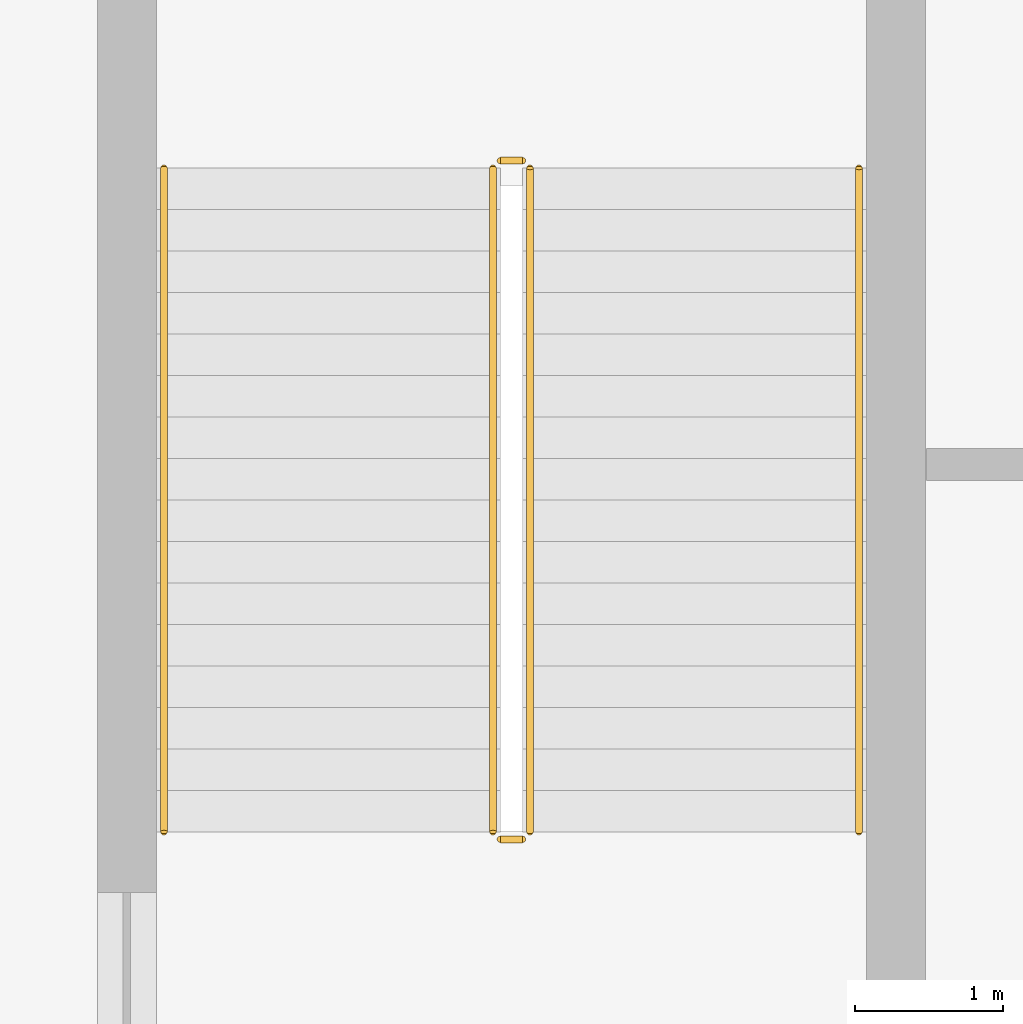
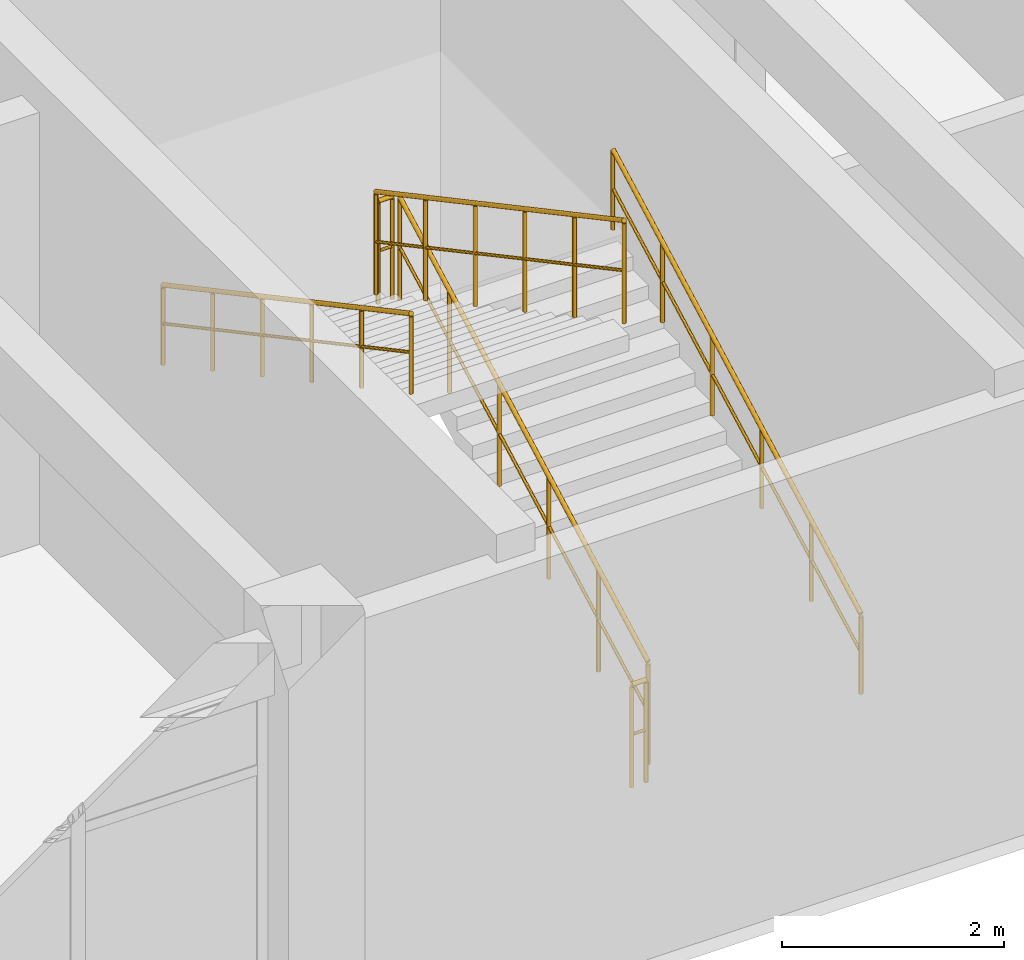
# One storey, part 91 of 96: 6 railings.
"""IFC4 building model written with IfcOpenShell, lengths in metres."""

from ifc_helpers import new_model, si_unit, derived_unit, direction, frame, origin, origin_2d, place, context, subcontext, project, spatial, circle, extrude, material, type_object, element, save


model = new_model("IFC4")

# Units and contexts
model_context = context("Model", 3, precision=1e-05, world=origin(), true_north=direction((0.0, 1.0)))
body_context = subcontext(model_context, "Body", "Model", "MODEL_VIEW")
ifc_project = project(units=[si_unit("LENGTHUNIT", "METRE"), si_unit("AREAUNIT", "SQUARE_METRE"), si_unit("VOLUMEUNIT", "CUBIC_METRE"), si_unit("PLANEANGLEUNIT", "RADIAN"), si_unit("MASSUNIT", "GRAM", prefix="KILO"), derived_unit("THERMALTRANSMITTANCEUNIT", [(si_unit("MASSUNIT", "GRAM", prefix="KILO"), 1), (si_unit("TIMEUNIT", "SECOND"), -3), (si_unit("THERMODYNAMICTEMPERATUREUNIT", "KELVIN"), -1)])], contexts=[model_context])

# Site, building, storey
site_placement = place(None, origin())
site = spatial("IfcSite", under=ifc_project, at=site_placement, CompositionType="ELEMENT")
building_placement = place(site_placement, origin())
building = spatial("IfcBuilding", under=site, at=building_placement, Name="Qinzheling Arcade Emporium", CompositionType="ELEMENT")
storey_placement = place(building_placement, frame((0.0, 0.0, 21.60009765625)))
storey = spatial("IfcBuildingStorey", under=building, at=storey_placement, Name="L05", CompositionType="ELEMENT", Elevation=21.60009765625)

# Railings
ifc_material_1 = material(Name="Galvanised powder-coated tubular steel", Category="steel")
railing_type_1 = type_object("IfcRailingType", Name="Painted Steel Stairwell Guard Railing 1150", PredefinedType="GUARDRAIL", material=ifc_material_1)
railing_1_placement = place(storey_placement, frame((91.919921875, 44.320068359375, 0.14990234375)))
element("IfcRailing", 1, at=railing_1_placement, inside=storey, type_object=railing_type_1, Name="L05 ST04 stair guard 1", PredefinedType="GUARDRAIL", context=body_context, shape_type="SweptSolid", body=[
    extrude(circle(Radius=0.02392578125, at=origin_2d()), frame((0.0, 0.0, 1.1259765625), z_axis=(0.0, 0.881487111273, 0.472208081951), x_axis=(-1.0, 0.0, 0.0)), (0.0, 0.0, 1.0), 5.082275390625),
    extrude(circle(Radius=0.01611328125, at=origin_2d()), frame((0.0, 0.0, 0.574951171875), z_axis=(0.0, 0.881487111273, 0.472208081951), x_axis=(-1.0, 0.0, 0.0)), (0.0, 0.0, 1.0), 5.082275390625),
    extrude(circle(Radius=0.02099609375, at=origin_2d()), origin(), (0.0, 0.0, 1.0), 1.101806640625),
    extrude(circle(Radius=0.02099609375, at=origin_2d()), frame((0.0, 0.89599609375, 0.47998046875)), (0.0, 0.0, 1.0), 1.101806640625),
    extrude(circle(Radius=0.02099609375, at=origin_2d()), frame((0.0, 1.7919921875, 0.9599609375)), (0.0, 0.0, 1.0), 1.101806640625),
    extrude(circle(Radius=0.02099609375, at=origin_2d()), frame((0.0, 2.68798828125, 1.43994140625)), (0.0, 0.0, 1.0), 1.101806640625),
    extrude(circle(Radius=0.02099609375, at=origin_2d()), frame((0.0, 3.583984375, 1.919921875)), (0.0, 0.0, 1.0), 1.101806640625),
    extrude(circle(Radius=0.02099609375, at=origin_2d()), frame((0.0, 4.47998046875, 2.39990234375)), (0.0, 0.0, 1.0), 1.101806640625),
])
railing_2_placement = place(storey_placement, frame((91.8701171875, 48.85009765625, 2.5498046875)))
element("IfcRailing", 2, at=railing_2_placement, inside=storey, type_object=railing_type_1, Name="L05 ST04 stair guard 2", PredefinedType="GUARDRAIL", context=body_context, shape_type="SweptSolid", body=[
    extrude(circle(Radius=0.02392578125, at=origin_2d()), frame((0.0, 0.0, 1.1259765625), z_axis=(-1.0, 0.0, 0.0), x_axis=(0.0, -1.0, 0.0)), (0.0, 0.0, 1.0), 0.150146484375),
    extrude(circle(Radius=0.01611328125, at=origin_2d()), frame((0.0, 0.0, 0.574951171875), z_axis=(-1.0, 0.0, 0.0), x_axis=(0.0, -1.0, 0.0)), (0.0, 0.0, 1.0), 0.150146484375),
    extrude(circle(Radius=0.02099609375, at=origin_2d()), origin(), (0.0, 0.0, 1.0), 1.101806640625),
    extrude(circle(Radius=0.02099609375, at=origin_2d()), frame((-0.150146484375, 0.0, 0.0)), (0.0, 0.0, 1.0), 1.101806640625),
])
railing_3_placement = place(storey_placement, frame((91.669921875, 48.800048828125, 2.699951171875)))
element("IfcRailing", 3, at=railing_3_placement, inside=storey, type_object=railing_type_1, Name="L05 ST04 stair guard 3", PredefinedType="GUARDRAIL", context=body_context, shape_type="SweptSolid", body=[
    extrude(circle(Radius=0.02392578125, at=origin_2d()), frame((0.0, 0.0, 1.1259765625), z_axis=(0.0, -0.881487111273, 0.472208081951), x_axis=(1.0, 0.0, 0.0)), (0.0, 0.0, 1.0), 5.082275390625),
    extrude(circle(Radius=0.01611328125, at=origin_2d()), frame((0.0, 0.0, 0.574951171875), z_axis=(0.0, -0.881487111273, 0.472208081951), x_axis=(1.0, 0.0, 0.0)), (0.0, 0.0, 1.0), 5.082275390625),
    extrude(circle(Radius=0.02099609375, at=origin_2d()), origin(), (0.0, 0.0, 1.0), 1.101806640625),
    extrude(circle(Radius=0.02099609375, at=origin_2d()), frame((0.0, -0.89599609375, 0.47998046875)), (0.0, 0.0, 1.0), 1.101806640625),
    extrude(circle(Radius=0.02099609375, at=origin_2d()), frame((0.0, -1.7919921875, 0.9599609375)), (0.0, 0.0, 1.0), 1.101806640625),
    extrude(circle(Radius=0.02099609375, at=origin_2d()), frame((0.0, -2.68798828125, 1.43994140625)), (0.0, 0.0, 1.0), 1.101806640625),
    extrude(circle(Radius=0.02099609375, at=origin_2d()), frame((0.0, -3.583984375, 1.919921875)), (0.0, 0.0, 1.0), 1.101806640625),
    extrude(circle(Radius=0.02099609375, at=origin_2d()), frame((0.0, -4.47998046875, 2.39990234375)), (0.0, 0.0, 1.0), 1.101806640625),
])
railing_4_placement = place(storey_placement, frame((91.8701171875, 44.27001953125, 0.0)))
element("IfcRailing", 4, at=railing_4_placement, inside=storey, type_object=railing_type_1, Name="L05 ST04 stair guard 4", PredefinedType="GUARDRAIL", context=body_context, shape_type="SweptSolid", body=[
    extrude(circle(Radius=0.02392578125, at=origin_2d()), frame((0.0, 0.0, 1.1259765625), z_axis=(-1.0, 0.0, 0.0), x_axis=(0.0, -1.0, 0.0)), (0.0, 0.0, 1.0), 0.150146484375),
    extrude(circle(Radius=0.01611328125, at=origin_2d()), frame((0.0, 0.0, 0.574951171875), z_axis=(-1.0, 0.0, 0.0), x_axis=(0.0, -1.0, 0.0)), (0.0, 0.0, 1.0), 0.150146484375),
    extrude(circle(Radius=0.02099609375, at=origin_2d()), origin(), (0.0, 0.0, 1.0), 1.101806640625),
    extrude(circle(Radius=0.02099609375, at=origin_2d()), frame((-0.150146484375, 0.0, 0.0)), (0.0, 0.0, 1.0), 1.101806640625),
])
ifc_material_2 = material(Name="Brushed stainless steel 304", Category="steel")
railing_type_2 = type_object("IfcRailingType", Name="Stainless Steel Wall Handrail 900", PredefinedType="HANDRAIL", material=ifc_material_2)
railing_5_placement = place(storey_placement, frame((94.139892578125, 44.320068359375, 0.14990234375)))
element("IfcRailing", 5, at=railing_5_placement, inside=storey, type_object=railing_type_2, Name="L05 ST04 stair handrail 1", PredefinedType="HANDRAIL", context=body_context, shape_type="SweptSolid", body=[
    extrude(circle(Radius=0.02392578125, at=origin_2d()), frame((0.0, 0.0, 0.8759765625), z_axis=(0.0, 0.881487111273, 0.472208081951), x_axis=(-1.0, 0.0, 0.0)), (0.0, 0.0, 1.0), 5.082275390625),
    extrude(circle(Radius=0.01611328125, at=origin_2d()), frame((0.0, 0.0, 0.449951171875), z_axis=(0.0, 0.881487111273, 0.472208081951), x_axis=(-1.0, 0.0, 0.0)), (0.0, 0.0, 1.0), 5.082275390625),
    extrude(circle(Radius=0.02099609375, at=origin_2d()), origin(), (0.0, 0.0, 1.0), 0.851806640625),
    extrude(circle(Radius=0.02099609375, at=origin_2d()), frame((0.0, 0.89599609375, 0.47998046875)), (0.0, 0.0, 1.0), 0.851806640625),
    extrude(circle(Radius=0.02099609375, at=origin_2d()), frame((0.0, 1.7919921875, 0.9599609375)), (0.0, 0.0, 1.0), 0.851806640625),
    extrude(circle(Radius=0.02099609375, at=origin_2d()), frame((0.0, 2.68798828125, 1.43994140625)), (0.0, 0.0, 1.0), 0.851806640625),
    extrude(circle(Radius=0.02099609375, at=origin_2d()), frame((0.0, 3.583984375, 1.919921875)), (0.0, 0.0, 1.0), 0.851806640625),
    extrude(circle(Radius=0.02099609375, at=origin_2d()), frame((0.0, 4.47998046875, 2.39990234375)), (0.0, 0.0, 1.0), 0.851806640625),
])
railing_6_placement = place(storey_placement, frame((89.449951171875, 48.800048828125, 2.699951171875)))
element("IfcRailing", 6, at=railing_6_placement, inside=storey, type_object=railing_type_2, Name="L05 ST04 stair handrail 2", PredefinedType="HANDRAIL", context=body_context, shape_type="SweptSolid", body=[
    extrude(circle(Radius=0.02392578125, at=origin_2d()), frame((0.0, 0.0, 0.8759765625), z_axis=(0.0, -0.881487111273, 0.472208081951), x_axis=(1.0, 0.0, 0.0)), (0.0, 0.0, 1.0), 5.082275390625),
    extrude(circle(Radius=0.01611328125, at=origin_2d()), frame((0.0, 0.0, 0.449951171875), z_axis=(0.0, -0.881487111273, 0.472208081951), x_axis=(1.0, 0.0, 0.0)), (0.0, 0.0, 1.0), 5.082275390625),
    extrude(circle(Radius=0.02099609375, at=origin_2d()), origin(), (0.0, 0.0, 1.0), 0.851806640625),
    extrude(circle(Radius=0.02099609375, at=origin_2d()), frame((0.0, -0.89599609375, 0.47998046875)), (0.0, 0.0, 1.0), 0.851806640625),
    extrude(circle(Radius=0.02099609375, at=origin_2d()), frame((0.0, -1.7919921875, 0.9599609375)), (0.0, 0.0, 1.0), 0.851806640625),
    extrude(circle(Radius=0.02099609375, at=origin_2d()), frame((0.0, -2.68798828125, 1.43994140625)), (0.0, 0.0, 1.0), 0.851806640625),
    extrude(circle(Radius=0.02099609375, at=origin_2d()), frame((0.0, -3.583984375, 1.919921875)), (0.0, 0.0, 1.0), 0.851806640625),
    extrude(circle(Radius=0.02099609375, at=origin_2d()), frame((0.0, -4.47998046875, 2.39990234375)), (0.0, 0.0, 1.0), 0.851806640625),
])

save(model, "model.ifc")
